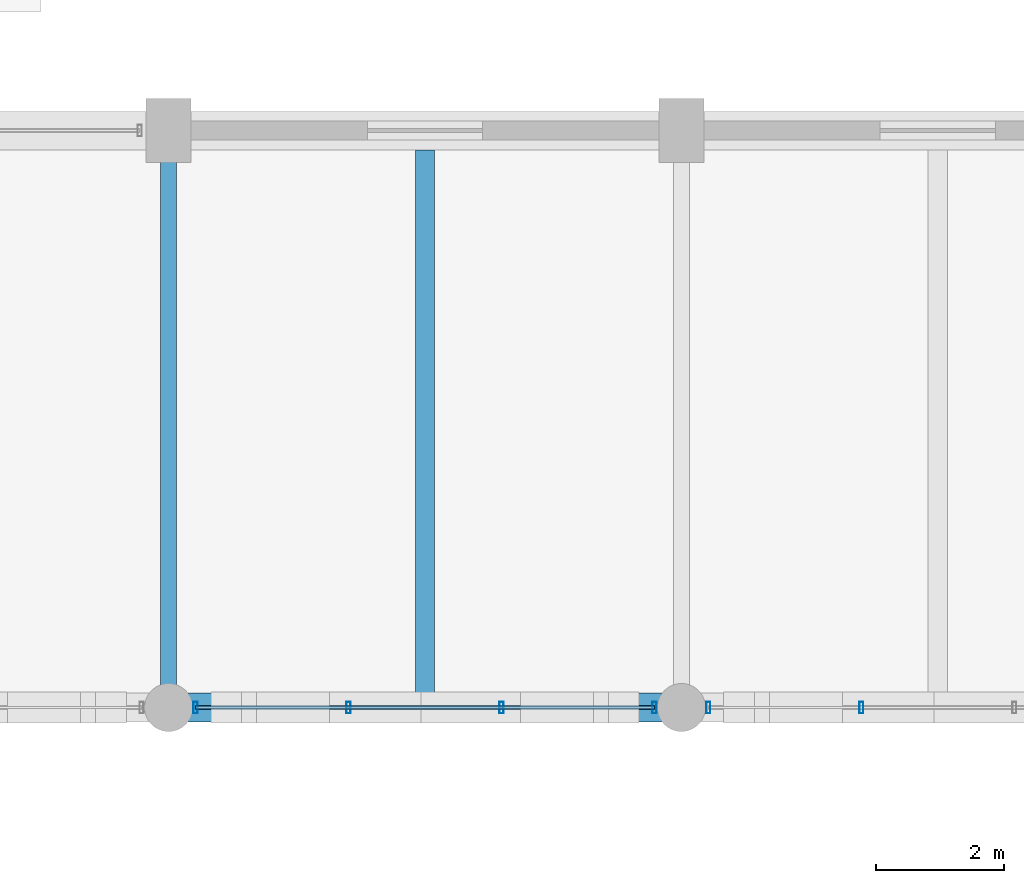
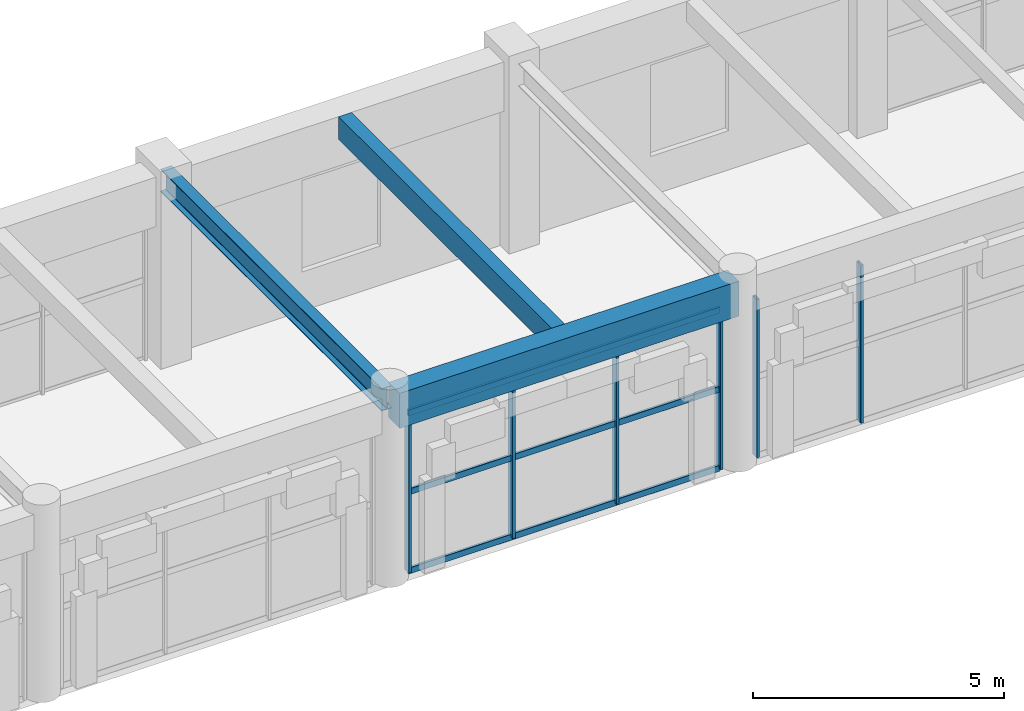
# One storey, part 77 of 144: 9 members, 3 beams, 2 elements without a shape of their own.
"""IFC4 building model written with IfcOpenShell, lengths in metres."""

from ifc_helpers import new_model, si_unit, direction, frame, origin, origin_2d, place, context, subcontext, project, spatial, rectangle, hollow_rectangle, i_section, extrude, material, material_profile, profile_set, type_object, element, aggregate, save


model = new_model("IFC4")

# Units and contexts
model_context = context("Model", 3, precision=1e-05, world=origin(), true_north=direction((0.0, 1.0)))
body_context = subcontext(model_context, "Body", "Model", "MODEL_VIEW")
ifc_project = project(units=[si_unit("LENGTHUNIT", "METRE"), si_unit("AREAUNIT", "SQUARE_METRE"), si_unit("VOLUMEUNIT", "CUBIC_METRE"), si_unit("PLANEANGLEUNIT", "RADIAN"), si_unit("MASSUNIT", "GRAM", prefix="KILO")], contexts=[model_context])

# Site, building, storey
site_placement = place(None, origin())
site = spatial("IfcSite", under=ifc_project, at=site_placement, CompositionType="ELEMENT")
building_placement = place(site_placement, origin())
building = spatial("IfcBuilding", under=site, at=building_placement, Name="Varnabhumi Central Station", CompositionType="ELEMENT")
storey_placement = place(building_placement, frame((0.0, 0.0, 4.800048828125)))
storey = spatial("IfcBuildingStorey", under=building, at=storey_placement, Name="L01", CompositionType="ELEMENT", Elevation=4.800048828125)

# Beams
ifc_material_1 = material(Name="Concrete M40", Category="concrete")
ifc_material_profile_1 = material_profile(ifc_material_1, rectangle(XDim=0.300048828125, YDim=0.550048828125, at=origin_2d()), Name="Concrete M40", Category="concrete")
ifc_profile_set_1 = profile_set([ifc_material_profile_1], Name="Concrete M40")
beam_type_1 = type_object("IfcBeamType", Name="BM-RC-300x550", PredefinedType="JOIST", material=ifc_profile_set_1)
beam_1_placement = place(storey_placement, frame((132.0, 27.22509765625, 4.27490234375), z_axis=(0.0, 1.0, 0.0), x_axis=(-1.0, 0.0, 0.0)))
element("IfcBeam", 1, at=beam_1_placement, inside=storey, type_object=beam_type_1, Name="Secondary Joist L01-17/18:D-E", PredefinedType="JOIST", context=body_context, shape_type="SweptSolid", body=[
    extrude(rectangle(XDim=0.300048828125, YDim=0.550048828125, at=origin_2d()), origin(), (0.0, 0.0, 1.0), 8.474853515625),
])
ifc_material_profile_2 = material_profile(ifc_material_1, rectangle(XDim=0.449951171875, YDim=0.85009765625, at=origin_2d()), Name="Concrete M40", Category="concrete")
ifc_profile_set_2 = profile_set([ifc_material_profile_2], Name="Concrete M40")
beam_type_2 = type_object("IfcBeamType", Name="BM-RC-450x850", PredefinedType="BEAM", material=ifc_profile_set_2)
beam_2_placement = place(storey_placement, frame((128.10009765625, 27.0, 4.125), z_axis=(1.0, 0.0, 0.0), x_axis=(0.0, 1.0, 0.0)))
element("IfcBeam", 2, at=beam_2_placement, inside=storey, type_object=beam_type_2, Name="Beam L01-D:17-18", PredefinedType="BEAM", context=body_context, shape_type="SweptSolid", body=[
    extrude(rectangle(XDim=0.449951171875, YDim=0.85009765625, at=origin_2d()), origin(), (0.0, 0.0, 1.0), 7.7998046875),
])
ifc_material_2 = material(Name="Structural steel E350", Category="steel")
ifc_material_profile_3 = material_profile(ifc_material_2, i_section(OverallWidth=0.25, OverallDepth=0.550048828125, WebThickness=0.010498046875, FlangeThickness=0.017578125, FilletRadius=0.01611328125, at=origin_2d()), Name="Structural steel E350", Category="steel")
ifc_profile_set_3 = profile_set([ifc_material_profile_3], Name="Structural steel E350")
beam_type_3 = type_object("IfcBeamType", Name="BM-STL-ISWB550", PredefinedType="BEAM", material=ifc_profile_set_3)
beam_3_placement = place(storey_placement, frame((128.0, 27.10009765625, 4.27490234375), z_axis=(0.0, 1.0, 0.0), x_axis=(-1.0, 0.0, 0.0)))
element("IfcBeam", 3, at=beam_3_placement, inside=storey, type_object=beam_type_3, Name="Beam L01-17:D-E", PredefinedType="BEAM", context=body_context, shape_type="SweptSolid", body=[
    extrude(i_section(OverallWidth=0.25, OverallDepth=0.550048828125, WebThickness=0.010498046875, FlangeThickness=0.017578125, FilletRadius=0.01611328125, at=origin_2d()), origin(), (0.0, 0.0, 1.0), 8.7998046875),
])

# Curtain wall, members
ifc_material_3 = material(Name="Anodised aluminium 6063-T6", Category="aluminium")
curtain_wall_type = type_object("IfcCurtainWallType", Name="CW-PATIO-LOGGIA-L1", PredefinedType="NOTDEFINED", material=ifc_material_3)
curtain_wall_1_placement = place(storey_placement, origin())
curtain_wall_1 = element("IfcCurtainWall", 4, at=curtain_wall_1_placement, inside=storey, type_object=curtain_wall_type, Name="Curtain Wall CW-SP1N3", PredefinedType="NOTDEFINED")
ifc_material_profile_4 = material_profile(ifc_material_3, hollow_rectangle(XDim=0.06494140625, YDim=0.179931640625, WallThickness=0.00390625, InnerFilletRadius=0.001953125, OuterFilletRadius=0.006103515625, at=origin_2d()), Name="Anodised aluminium 6063-T6", Category="aluminium")
ifc_profile_set_4 = profile_set([ifc_material_profile_4], Name="Anodised aluminium 6063-T6")
member_type_1 = type_object("IfcMemberType", Name="CW-MUL-180", PredefinedType="MULLION", material=ifc_profile_set_4)
member_1_placement = place(storey_placement, frame((128.419921875, 27.0, 0.0), z_axis=(0.0, 0.0, 1.0), x_axis=(1.0, 0.0, 0.0)))
member_1 = element("IfcMember", 5, at=member_1_placement, type_object=member_type_1, Name="Curtain Wall Mullion CW-SP1N3-M1", PredefinedType="MULLION", context=body_context, shape_type="SweptSolid", body=[
    extrude(hollow_rectangle(XDim=0.06494140625, YDim=0.179931640625, WallThickness=0.00390625, InnerFilletRadius=0.001953125, OuterFilletRadius=0.006103515625, at=origin_2d()), origin(), (0.0, 0.0, 1.0), 3.83984375),
])
member_2_placement = place(storey_placement, frame((130.806640625, 27.0, 0.0), z_axis=(0.0, 0.0, 1.0), x_axis=(1.0, 0.0, 0.0)))
member_2 = element("IfcMember", 6, at=member_2_placement, type_object=member_type_1, Name="Curtain Wall Mullion CW-SP1N3-M2", PredefinedType="MULLION", context=body_context, shape_type="SweptSolid", body=[
    extrude(hollow_rectangle(XDim=0.06494140625, YDim=0.179931640625, WallThickness=0.00390625, InnerFilletRadius=0.001953125, OuterFilletRadius=0.006103515625, at=origin_2d()), origin(), (0.0, 0.0, 1.0), 3.83984375),
])
member_3_placement = place(storey_placement, frame((133.193359375, 27.0, 0.0), z_axis=(0.0, 0.0, 1.0), x_axis=(1.0, 0.0, 0.0)))
member_3 = element("IfcMember", 7, at=member_3_placement, type_object=member_type_1, Name="Curtain Wall Mullion CW-SP1N3-M3", PredefinedType="MULLION", context=body_context, shape_type="SweptSolid", body=[
    extrude(hollow_rectangle(XDim=0.06494140625, YDim=0.179931640625, WallThickness=0.00390625, InnerFilletRadius=0.001953125, OuterFilletRadius=0.006103515625, at=origin_2d()), origin(), (0.0, 0.0, 1.0), 3.83984375),
])
member_4_placement = place(storey_placement, frame((135.580078125, 27.0, 0.0), z_axis=(0.0, 0.0, 1.0), x_axis=(1.0, 0.0, 0.0)))
member_4 = element("IfcMember", 8, at=member_4_placement, type_object=member_type_1, Name="Curtain Wall Mullion CW-SP1N3-M4", PredefinedType="MULLION", context=body_context, shape_type="SweptSolid", body=[
    extrude(hollow_rectangle(XDim=0.06494140625, YDim=0.179931640625, WallThickness=0.00390625, InnerFilletRadius=0.001953125, OuterFilletRadius=0.006103515625, at=origin_2d()), origin(), (0.0, 0.0, 1.0), 3.83984375),
])

curtain_wall_2_placement = place(storey_placement, origin())
curtain_wall_2 = element("IfcCurtainWall", 9, at=curtain_wall_2_placement, inside=storey, type_object=curtain_wall_type, Name="Curtain Wall CW-SP1N4", PredefinedType="NOTDEFINED")
member_5_placement = place(storey_placement, frame((136.419921875, 27.0, 0.0), z_axis=(0.0, 0.0, 1.0), x_axis=(1.0, 0.0, 0.0)))
member_5 = element("IfcMember", 10, at=member_5_placement, type_object=member_type_1, Name="Curtain Wall Mullion CW-SP1N4-M1", PredefinedType="MULLION", context=body_context, shape_type="SweptSolid", body=[
    extrude(hollow_rectangle(XDim=0.06494140625, YDim=0.179931640625, WallThickness=0.00390625, InnerFilletRadius=0.001953125, OuterFilletRadius=0.006103515625, at=origin_2d()), origin(), (0.0, 0.0, 1.0), 3.83984375),
])
member_6_placement = place(storey_placement, frame((138.806640625, 27.0, 0.0), z_axis=(0.0, 0.0, 1.0), x_axis=(1.0, 0.0, 0.0)))
member_6 = element("IfcMember", 11, at=member_6_placement, type_object=member_type_1, Name="Curtain Wall Mullion CW-SP1N4-M2", PredefinedType="MULLION", context=body_context, shape_type="SweptSolid", body=[
    extrude(hollow_rectangle(XDim=0.06494140625, YDim=0.179931640625, WallThickness=0.00390625, InnerFilletRadius=0.001953125, OuterFilletRadius=0.006103515625, at=origin_2d()), origin(), (0.0, 0.0, 1.0), 3.83984375),
])
aggregate(curtain_wall_2, [member_5, member_6])

# Member
ifc_material_profile_5 = material_profile(ifc_material_3, hollow_rectangle(XDim=0.06005859375, YDim=0.14990234375, WallThickness=0.00390625, InnerFilletRadius=0.001953125, OuterFilletRadius=0.006103515625, at=origin_2d()), Name="Anodised aluminium 6063-T6", Category="aluminium")
ifc_profile_set_5 = profile_set([ifc_material_profile_5], Name="Anodised aluminium 6063-T6")
member_type_2 = type_object("IfcMemberType", Name="CW-TR-150", PredefinedType="USERDEFINED", material=ifc_profile_set_5)
member_7_placement = place(storey_placement, frame((128.419921875, 27.0, 0.0), z_axis=(1.0, 0.0, 0.0), x_axis=(0.0, 1.0, 0.0)))
member_7 = element("IfcMember", 12, at=member_7_placement, type_object=member_type_2, Name="Curtain Wall Transom CW-SP1N3-T1", ObjectType="TRANSOM", PredefinedType="USERDEFINED", context=body_context, shape_type="SweptSolid", body=[
    extrude(hollow_rectangle(XDim=0.06005859375, YDim=0.14990234375, WallThickness=0.00390625, InnerFilletRadius=0.001953125, OuterFilletRadius=0.006103515625, at=origin_2d()), origin(), (0.0, 0.0, 1.0), 7.16015625),
])

member_8_placement = place(storey_placement, frame((128.419921875, 27.0, 1.919921875), z_axis=(1.0, 0.0, 0.0), x_axis=(0.0, 1.0, 0.0)))
member_8 = element("IfcMember", 13, at=member_8_placement, type_object=member_type_2, Name="Curtain Wall Transom CW-SP1N3-T2", ObjectType="TRANSOM", PredefinedType="USERDEFINED", context=body_context, shape_type="SweptSolid", body=[
    extrude(hollow_rectangle(XDim=0.06005859375, YDim=0.14990234375, WallThickness=0.00390625, InnerFilletRadius=0.001953125, OuterFilletRadius=0.006103515625, at=origin_2d()), origin(), (0.0, 0.0, 1.0), 7.16015625),
])

member_9_placement = place(storey_placement, frame((128.419921875, 27.0, 3.83984375), z_axis=(1.0, 0.0, 0.0), x_axis=(0.0, 1.0, 0.0)))
member_9 = element("IfcMember", 14, at=member_9_placement, type_object=member_type_2, Name="Curtain Wall Transom CW-SP1N3-T3", ObjectType="TRANSOM", PredefinedType="USERDEFINED", context=body_context, shape_type="SweptSolid", body=[
    extrude(hollow_rectangle(XDim=0.06005859375, YDim=0.14990234375, WallThickness=0.00390625, InnerFilletRadius=0.001953125, OuterFilletRadius=0.006103515625, at=origin_2d()), origin(), (0.0, 0.0, 1.0), 7.16015625),
])

aggregate(curtain_wall_1, [member_1, member_2, member_3, member_4, member_7, member_8, member_9])

save(model, "model.ifc")
